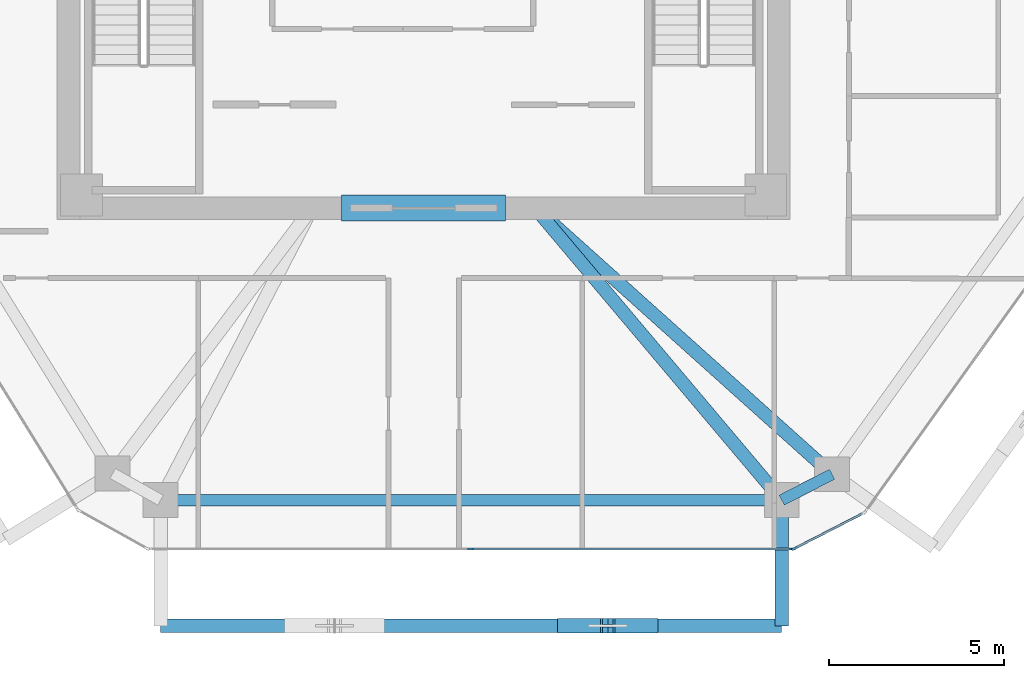
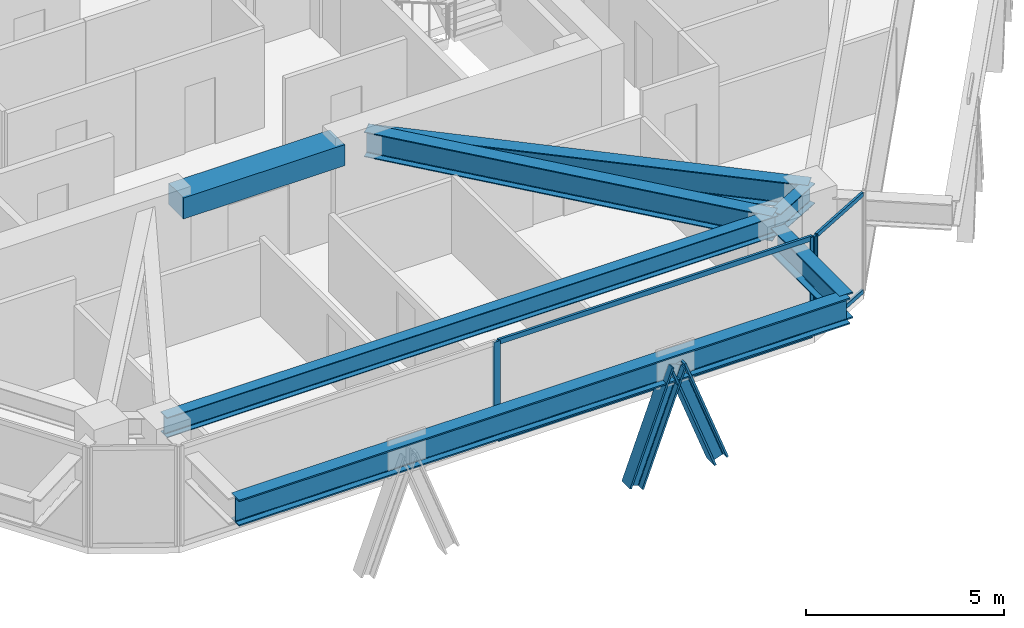
# One storey, part 3 of 14: 9 members, 7 beams, 2 elements without a shape of their own.
"""IFC4 building model written with IfcOpenShell, lengths in metres."""

from ifc_helpers import new_model, si_unit, direction, frame, origin, origin_2d, place, context, subcontext, project, spatial, rectangle, i_section, extrude, source, transform, mapped, material, layer, layer_set, material_profile, profile_set, type_object, type_shapes, element, aggregate, save


model = new_model("IFC4")

# Units and contexts
model_context = context("Model", 3, precision=1e-05, world=origin(), true_north=direction((0.0, 1.0)))
body_context = subcontext(model_context, "Body", "Model", "MODEL_VIEW")
ifc_project = project(units=[si_unit("LENGTHUNIT", "METRE"), si_unit("AREAUNIT", "SQUARE_METRE"), si_unit("VOLUMEUNIT", "CUBIC_METRE"), si_unit("PLANEANGLEUNIT", "RADIAN"), si_unit("MASSUNIT", "GRAM", prefix="KILO")], contexts=[model_context])

# Site, building, storey
site_placement = place(None, origin())
site = spatial("IfcSite", under=ifc_project, at=site_placement, CompositionType="ELEMENT")
building_placement = place(site_placement, origin())
building = spatial("IfcBuilding", under=site, at=building_placement, Name="Durnholm Broadcast Tower", CompositionType="ELEMENT")
storey_placement = place(building_placement, frame((0.0, 0.0, 173.800048828125)))
storey = spatial("IfcBuildingStorey", under=building, at=storey_placement, Name="L47", CompositionType="ELEMENT", Elevation=173.800048828125)

# Beams
ifc_material_1 = material(Name="Concrete C70/85", Category="concrete")
ifc_material_profile_1 = material_profile(ifc_material_1, rectangle(XDim=0.75, YDim=0.64990234375, at=origin_2d()), Name="RC750X650")
ifc_profile_set_1 = profile_set([ifc_material_profile_1], Name="Concrete C70/85")
beam_type_1 = type_object("IfcBeamType", Name="BM-CB-RC650", PredefinedType="LINTEL", material=ifc_profile_set_1)
shared_shape_1 = source(origin(), body_context, "Body", "SweptSolid", [
    extrude(rectangle(XDim=0.75, YDim=0.64990234375, at=origin_2d()), origin(), (0.0, 0.0, 1.0), 4.7001953125),
])
type_shapes(beam_type_1, [shared_shape_1])
beam_1_placement = place(storey_placement, frame((-2.35009765625, -8.175048828125, 2.72998046875), z_axis=(1.0, 0.0, 0.0), x_axis=(0.0, 1.0, 0.0)))
element("IfcBeam", 1, at=beam_1_placement, inside=storey, type_object=beam_type_1, Name="L47 south core coupling lintel beam CB-S", PredefinedType="LINTEL", context=body_context, shape_type="MappedRepresentation", body=[
    mapped(shared_shape_1, transform((0.0, 0.0, 0.0), x_axis=(1.0, 0.0, 0.0), y_axis=(0.0, 1.0, 0.0), z_axis=(0.0, 0.0, 1.0), scale=1.0)),
])
ifc_material_2 = material(Name="Steel ASTM A992 Grade 50", Category="steel")
ifc_material_profile_2 = material_profile(ifc_material_2, i_section(OverallWidth=0.385009765625, OverallDepth=0.802978515625, WebThickness=0.023681640625, FlangeThickness=0.0419921875, FilletRadius=0.032958984375, at=origin_2d()), Name="W30X261")
ifc_profile_set_2 = profile_set([ifc_material_profile_2], Name="Steel ASTM A992 Grade 50")
beam_type_2 = type_object("IfcBeamType", Name="BM-EXO-TIE", PredefinedType="USERDEFINED", material=ifc_profile_set_2)
shared_shape_2 = source(origin(), body_context, "Body", "SweptSolid", [
    extrude(i_section(OverallWidth=0.385009765625, OverallDepth=0.802978515625, WebThickness=0.023681640625, FlangeThickness=0.0419921875, FilletRadius=0.032958984375, at=origin_2d()), origin(), (0.0, 0.0, 1.0), 3.4560546875),
])
beam_2_placement = place(storey_placement, frame((10.256591796875, -16.68603515625, 2.30859375), z_axis=(0.0, -1.0, 0.0), x_axis=(1.0, 0.0, 0.0)))
element("IfcBeam", 2, at=beam_2_placement, inside=storey, type_object=beam_type_2, Name="L47 exoskeleton stand-off tie bracket F1.2", ObjectType="GIRDER", PredefinedType="USERDEFINED", context=body_context, shape_type="MappedRepresentation", body=[
    mapped(shared_shape_2, transform((0.0, 0.0, 0.0), x_axis=(1.0, 0.0, 0.0), y_axis=(0.0, 1.0, 0.0), z_axis=(0.0, 0.0, 1.0), scale=1.0)),
])
ifc_material_profile_3 = material_profile(ifc_material_2, i_section(OverallWidth=0.3251953125, OverallDepth=0.6162109375, WebThickness=0.013916015625, FlangeThickness=0.021484375, FilletRadius=0.02783203125, at=origin_2d()), Name="W24X117")
ifc_profile_set_3 = profile_set([ifc_material_profile_3], Name="Steel ASTM A992 Grade 50")
beam_type_3 = type_object("IfcBeamType", Name="STL-SP-W24X117", PredefinedType="SPANDREL", material=ifc_profile_set_3)
shared_shape_3 = source(origin(), body_context, "Body", "SweptSolid", [
    extrude(i_section(OverallWidth=0.3251953125, OverallDepth=0.6162109375, WebThickness=0.013916015625, FlangeThickness=0.021484375, FilletRadius=0.02783203125, at=origin_2d()), origin(), (0.0, 0.0, 1.0), 1.62255859375),
])
beam_3_placement = place(storey_placement, frame((11.69970703125, -15.80029296875, 2.73681640625), z_axis=(-0.889406668864, -0.45711680934, 0.0), x_axis=(0.45711680934, -0.889406668864, 0.0)))
element("IfcBeam", 3, at=beam_3_placement, inside=storey, type_object=beam_type_3, Name="L47 perimeter spandrel girder 10", PredefinedType="SPANDREL", context=body_context, shape_type="MappedRepresentation", body=[
    mapped(shared_shape_3, transform((0.0, 0.0, 0.0), x_axis=(1.0, 0.0, 0.0), y_axis=(0.0, 1.0, 0.0), z_axis=(0.0, 0.0, 1.0), scale=1.0)),
])
shared_shape_4 = source(origin(), body_context, "Body", "SweptSolid", [
    extrude(i_section(OverallWidth=0.3251953125, OverallDepth=0.6162109375, WebThickness=0.013916015625, FlangeThickness=0.021484375, FilletRadius=0.02783203125, at=origin_2d()), origin(), (0.0, 0.0, 1.0), 17.796142578125),
])
type_shapes(beam_type_3, [shared_shape_3, shared_shape_4])
beam_4_placement = place(storey_placement, frame((10.256591796875, -16.5419921875, 2.73681640625), z_axis=(-1.0, 0.0, 0.0), x_axis=(0.0, -1.0, 0.0)))
element("IfcBeam", 4, at=beam_4_placement, inside=storey, type_object=beam_type_3, Name="L47 perimeter spandrel girder 11", PredefinedType="SPANDREL", context=body_context, shape_type="MappedRepresentation", body=[
    mapped(shared_shape_4, transform((0.0, 0.0, 0.0), x_axis=(1.0, 0.0, 0.0), y_axis=(0.0, 1.0, 0.0), z_axis=(0.0, 0.0, 1.0), scale=1.0)),
])
shared_shape_5 = source(origin(), body_context, "Body", "SweptSolid", [
    extrude(i_section(OverallWidth=0.385009765625, OverallDepth=0.802978515625, WebThickness=0.023681640625, FlangeThickness=0.0419921875, FilletRadius=0.032958984375, at=origin_2d()), origin(), (0.0, 0.0, 1.0), 17.796142578125),
])
type_shapes(beam_type_2, [shared_shape_2, shared_shape_5])
beam_5_placement = place(storey_placement, frame((-7.53955078125, -20.14208984375, 2.30859375), z_axis=(1.0, 0.0, 0.0), x_axis=(0.0, 1.0, 0.0)))
element("IfcBeam", 5, at=beam_5_placement, inside=storey, type_object=beam_type_2, Name="L47 exoskeleton collector spandrel F1", PredefinedType="SPANDREL", context=body_context, shape_type="MappedRepresentation", body=[
    mapped(shared_shape_5, transform((0.0, 0.0, 0.0), x_axis=(1.0, 0.0, 0.0), y_axis=(0.0, 1.0, 0.0), z_axis=(0.0, 0.0, 1.0), scale=1.0)),
])
ifc_material_profile_4 = material_profile(ifc_material_2, i_section(OverallWidth=0.380615234375, OverallDepth=0.773193359375, WebThickness=0.0166015625, FlangeThickness=0.027099609375, FilletRadius=0.032958984375, at=origin_2d()), Name="W30X173")
ifc_profile_set_4 = profile_set([ifc_material_profile_4], Name="Steel ASTM A992 Grade 50")
beam_type_4 = type_object("IfcBeamType", Name="STL-GR-W30X173", PredefinedType="USERDEFINED", material=ifc_profile_set_4)
shared_shape_6 = source(origin(), body_context, "Body", "SweptSolid", [
    extrude(i_section(OverallWidth=0.380615234375, OverallDepth=0.773193359375, WebThickness=0.0166015625, FlangeThickness=0.027099609375, FilletRadius=0.032958984375, at=origin_2d()), origin(), (0.0, 0.0, 1.0), 11.4189453125),
])
beam_6_placement = place(storey_placement, frame((3.199951171875, -8.175048828125, 2.658447265625), z_axis=(0.744361631918, -0.667776729849, 0.0), x_axis=(0.667776729849, 0.744361631918, 0.0)))
element("IfcBeam", 6, at=beam_6_placement, inside=storey, type_object=beam_type_4, Name="L47 radial primary floor girder 10", ObjectType="GIRDER", PredefinedType="USERDEFINED", context=body_context, shape_type="MappedRepresentation", body=[
    mapped(shared_shape_6, transform((0.0, 0.0, 0.0), x_axis=(1.0, 0.0, 0.0), y_axis=(0.0, 1.0, 0.0), z_axis=(0.0, 0.0, 1.0), scale=1.0)),
])
shared_shape_7 = source(origin(), body_context, "Body", "SweptSolid", [
    extrude(i_section(OverallWidth=0.380615234375, OverallDepth=0.773193359375, WebThickness=0.0166015625, FlangeThickness=0.027099609375, FilletRadius=0.032958984375, at=origin_2d()), origin(), (0.0, 0.0, 1.0), 10.9453125),
])
type_shapes(beam_type_4, [shared_shape_6, shared_shape_7])
beam_7_placement = place(storey_placement, frame((3.199951171875, -8.175048828125, 2.658447265625), z_axis=(0.644712536066, -0.764425108065, 0.0), x_axis=(0.764425108065, 0.644712536066, 0.0)))
element("IfcBeam", 7, at=beam_7_placement, inside=storey, type_object=beam_type_4, Name="L47 radial primary floor girder 11", ObjectType="GIRDER", PredefinedType="USERDEFINED", context=body_context, shape_type="MappedRepresentation", body=[
    mapped(shared_shape_7, transform((0.0, 0.0, 0.0), x_axis=(1.0, 0.0, 0.0), y_axis=(0.0, 1.0, 0.0), z_axis=(0.0, 0.0, 1.0), scale=1.0)),
])

# Members
ifc_material_3 = material(Name="Steel ASTM A913 Grade 65", Category="steel")
ifc_material_profile_5 = material_profile(ifc_material_3, i_section(OverallWidth=0.412109375, OverallDepth=0.434814453125, WebThickness=0.035888671875, FlangeThickness=0.057373046875, FilletRadius=0.030517578125, at=origin_2d()), Name="W14X311")
ifc_profile_set_5 = profile_set([ifc_material_profile_5], Name="Steel ASTM A913 Grade 65")
member_type_1 = type_object("IfcMemberType", Name="STL-DG-W14X311", PredefinedType="BRACE", material=ifc_profile_set_5)
shared_shape_8 = source(origin(), body_context, "Body", "SweptSolid", [
    extrude(i_section(OverallWidth=0.412109375, OverallDepth=0.434814453125, WebThickness=0.035888671875, FlangeThickness=0.057373046875, FilletRadius=0.030517578125, at=origin_2d()), origin(), (0.0, 0.0, 1.0), 3.523193359375),
])
type_shapes(member_type_1, [shared_shape_8])
for number, where, z_axis, x_axis, name in (
    (8, (4.039794921875, -20.14208984375, -0.991455078125), (0.350219588454, 0.0, 0.936667625075), (0.0, 1.0, 0.0), "L47 stand-off diagrid brace F1.D2.1"),
    (9, (6.507568359375, -20.14208984375, -0.991455078125), (-0.350219588454, 0.0, 0.936667625075), (0.0, -1.0, 0.0), "L47 stand-off diagrid brace F1.D2.2"),
):
    element("IfcMember", number, at=place(storey_placement, frame(where, z_axis=z_axis, x_axis=x_axis)), inside=storey, type_object=member_type_1, Name=name, PredefinedType="BRACE", context=body_context, shape_type="MappedRepresentation", body=[
        mapped(shared_shape_8, transform((0.0, 0.0, 0.0), x_axis=(1.0, 0.0, 0.0), y_axis=(0.0, 1.0, 0.0), z_axis=(0.0, 0.0, 1.0), scale=1.0)),
    ])

# Curtain wall, members
ifc_material_4 = material(Name="Aluminium and Solar Control IGU", Category="aluminium")
ifc_layer_1 = layer(ifc_material_4, 0.1650390625)
ifc_layer_set_1 = layer_set([ifc_layer_1], Name="Aluminium and Solar Control IGU")
curtain_wall_type_1 = type_object("IfcCurtainWallType", Name="CW-SYS-5", PredefinedType="NOTDEFINED", material=ifc_layer_set_1)
curtain_wall_1_placement = place(storey_placement, origin())
curtain_wall_1 = element("IfcCurtainWall", 10, at=curtain_wall_1_placement, inside=storey, type_object=curtain_wall_type_1, Name="L47 curtain wall CW-CORNER CW-L47-CRN-09", PredefinedType="NOTDEFINED")
ifc_material_5 = material(Name="Aluminium 6063-T6", Category="aluminium")
ifc_material_profile_6 = material_profile(ifc_material_5, rectangle(XDim=0.06494140625, YDim=0.1650390625, at=origin_2d()), Name="CWM65X165")
ifc_profile_set_6 = profile_set([ifc_material_profile_6], Name="Aluminium 6063-T6")
member_type_2 = type_object("IfcMemberType", Name="CW-SYS-5-MUL", PredefinedType="MULLION", material=ifc_profile_set_6)
shared_shape_9 = source(origin(), body_context, "Body", "SweptSolid", [
    extrude(rectangle(XDim=0.06494140625, YDim=0.1650390625, at=origin_2d()), origin(), (0.0, 0.0, 1.0), 3.06005859375),
])
type_shapes(member_type_2, [shared_shape_9])
member_1_placement = place(storey_placement, frame((10.624267578125, -17.92724609375, 0.0), z_axis=(0.0, 0.0, 1.0), x_axis=(0.457081764476, -0.889424679545, 0.0)))
member_1 = element("IfcMember", 11, at=member_1_placement, type_object=member_type_2, Name="CW-CORNER mullion 2", PredefinedType="MULLION", context=body_context, shape_type="MappedRepresentation", body=[
    mapped(shared_shape_9, transform((0.0, 0.0, 0.0), x_axis=(1.0, 0.0, 0.0), y_axis=(0.0, 1.0, 0.0), z_axis=(0.0, 0.0, 1.0), scale=1.0)),
])
ifc_material_profile_7 = material_profile(ifc_material_5, rectangle(XDim=0.06494140625, YDim=0.1298828125, at=origin_2d()), Name="CWT65X130")
ifc_profile_set_7 = profile_set([ifc_material_profile_7], Name="Aluminium 6063-T6")
member_type_3 = type_object("IfcMemberType", Name="CW-SYS-5-TRN", PredefinedType="USERDEFINED", material=ifc_profile_set_7)
shared_shape_10 = source(origin(), body_context, "Body", "SweptSolid", [
    extrude(rectangle(XDim=0.06494140625, YDim=0.1298828125, at=origin_2d()), origin(), (0.0, 0.0, 1.0), 2.170166015625),
])
type_shapes(member_type_3, [shared_shape_10])
member_2_placement = place(storey_placement, frame((12.583251953125, -16.92041015625, 0.032470703125), z_axis=(-0.889422414772, -0.457086171417, 0.0), x_axis=(0.457086171417, -0.889422414772, 0.0)))
member_2 = element("IfcMember", 12, at=member_2_placement, type_object=member_type_3, Name="CW-CORNER transom 1.1", ObjectType="TRANSOM", PredefinedType="USERDEFINED", context=body_context, shape_type="MappedRepresentation", body=[
    mapped(shared_shape_10, transform((0.0, 0.0, 0.0), x_axis=(1.0, 0.0, 0.0), y_axis=(0.0, 1.0, 0.0), z_axis=(0.0, 0.0, 1.0), scale=1.0)),
])
member_3_placement = place(storey_placement, frame((12.583251953125, -16.92041015625, 3.02734375), z_axis=(-0.889422414772, -0.457086171417, 0.0), x_axis=(0.457086171417, -0.889422414772, 0.0)))
member_3 = element("IfcMember", 13, at=member_3_placement, type_object=member_type_3, Name="CW-CORNER transom 1.2", ObjectType="TRANSOM", PredefinedType="USERDEFINED", context=body_context, shape_type="MappedRepresentation", body=[
    mapped(shared_shape_10, transform((0.0, 0.0, 0.0), x_axis=(1.0, 0.0, 0.0), y_axis=(0.0, 1.0, 0.0), z_axis=(0.0, 0.0, 1.0), scale=1.0)),
])
aggregate(curtain_wall_1, [member_1, member_2, member_3])

ifc_layer_2 = layer(ifc_material_4, 0.18994140625)
ifc_layer_set_2 = layer_set([ifc_layer_2], Name="Aluminium and Solar Control IGU")
curtain_wall_type_2 = type_object("IfcCurtainWallType", Name="CW-SYS-4", PredefinedType="NOTDEFINED", material=ifc_layer_set_2)
curtain_wall_2_placement = place(storey_placement, origin())
curtain_wall_2 = element("IfcCurtainWall", 14, at=curtain_wall_2_placement, inside=storey, type_object=curtain_wall_type_2, Name="L47 curtain wall CW-Z34-VIS CW-L47-F10", PredefinedType="NOTDEFINED")
ifc_material_profile_8 = material_profile(ifc_material_5, rectangle(XDim=0.070068359375, YDim=0.14990234375, at=origin_2d()), Name="CWT70X150")
ifc_profile_set_8 = profile_set([ifc_material_profile_8], Name="Aluminium 6063-T6")
member_type_4 = type_object("IfcMemberType", Name="CW-SYS-4-TRN", PredefinedType="USERDEFINED", material=ifc_profile_set_8)
shared_shape_11 = source(origin(), body_context, "Body", "SweptSolid", [
    extrude(rectangle(XDim=0.070068359375, YDim=0.14990234375, at=origin_2d()), origin(), (0.0, 0.0, 1.0), 9.14453125),
])
type_shapes(member_type_4, [shared_shape_11])
member_4_placement = place(storey_placement, frame((10.525390625, -17.94189453125, 0.034912109375), z_axis=(-1.0, 0.0, 0.0), x_axis=(0.0, -1.0, 0.0)))
member_4 = element("IfcMember", 15, at=member_4_placement, type_object=member_type_4, Name="CW-Z34-VIS transom 1.1", ObjectType="TRANSOM", PredefinedType="USERDEFINED", context=body_context, shape_type="MappedRepresentation", body=[
    mapped(shared_shape_11, transform((0.0, 0.0, 0.0), x_axis=(1.0, 0.0, 0.0), y_axis=(0.0, 1.0, 0.0), z_axis=(0.0, 0.0, 1.0), scale=1.0)),
])
member_5_placement = place(storey_placement, frame((10.525390625, -17.94189453125, 3.02490234375), z_axis=(-1.0, 0.0, 0.0), x_axis=(0.0, -1.0, 0.0)))
member_5 = element("IfcMember", 16, at=member_5_placement, type_object=member_type_4, Name="CW-Z34-VIS transom 1.2", ObjectType="TRANSOM", PredefinedType="USERDEFINED", context=body_context, shape_type="MappedRepresentation", body=[
    mapped(shared_shape_11, transform((0.0, 0.0, 0.0), x_axis=(1.0, 0.0, 0.0), y_axis=(0.0, 1.0, 0.0), z_axis=(0.0, 0.0, 1.0), scale=1.0)),
])
ifc_material_profile_9 = material_profile(ifc_material_5, rectangle(XDim=0.070068359375, YDim=0.18994140625, at=origin_2d()), Name="CWM70X190")
ifc_profile_set_9 = profile_set([ifc_material_profile_9], Name="Aluminium 6063-T6")
member_type_5 = type_object("IfcMemberType", Name="CW-SYS-4-MUL", PredefinedType="MULLION", material=ifc_profile_set_9)
shared_shape_12 = source(origin(), body_context, "Body", "SweptSolid", [
    extrude(rectangle(XDim=0.070068359375, YDim=0.18994140625, at=origin_2d()), origin(), (0.0, 0.0, 1.0), 3.06005859375),
])
type_shapes(member_type_5, [shared_shape_12])
member_6_placement = place(storey_placement, frame((10.560302734375, -17.94189453125, 0.0), z_axis=(0.0, 0.0, 1.0), x_axis=(0.0, -1.0, 0.0)))
member_6 = element("IfcMember", 17, at=member_6_placement, type_object=member_type_5, Name="CW-Z34-VIS mullion 1", PredefinedType="MULLION", context=body_context, shape_type="MappedRepresentation", body=[
    mapped(shared_shape_12, transform((0.0, 0.0, 0.0), x_axis=(1.0, 0.0, 0.0), y_axis=(0.0, 1.0, 0.0), z_axis=(0.0, 0.0, 1.0), scale=1.0)),
])
member_7_placement = place(storey_placement, frame((1.345947265625, -17.94189453125, 0.0), z_axis=(0.0, 0.0, 1.0), x_axis=(0.0, -1.0, 0.0)))
member_7 = element("IfcMember", 18, at=member_7_placement, type_object=member_type_5, Name="CW-Z34-VIS mullion 2", PredefinedType="MULLION", context=body_context, shape_type="MappedRepresentation", body=[
    mapped(shared_shape_12, transform((0.0, 0.0, 0.0), x_axis=(1.0, 0.0, 0.0), y_axis=(0.0, 1.0, 0.0), z_axis=(0.0, 0.0, 1.0), scale=1.0)),
])
aggregate(curtain_wall_2, [member_6, member_7, member_4, member_5])

save(model, "model.ifc")
